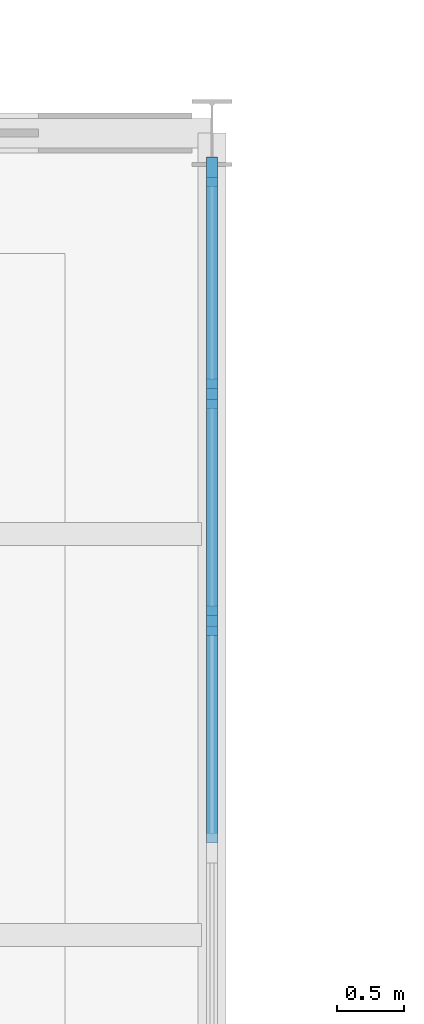
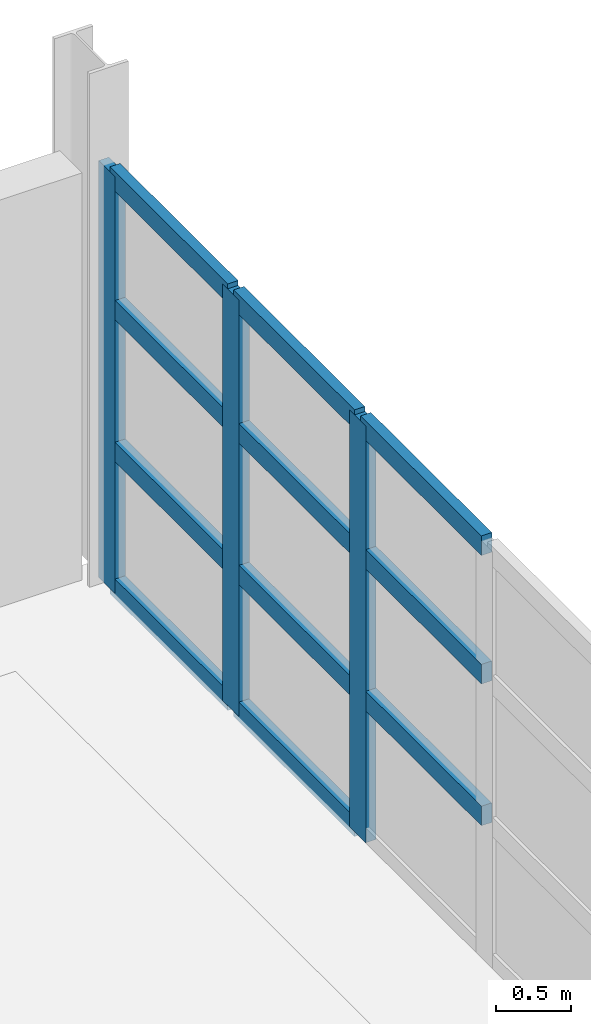
# One storey, part 10 of 52: 14 members, 1 element without a shape of its own.
"""IFC4 building model written with IfcOpenShell, lengths in metres."""

from ifc_helpers import new_model, si_unit, direction, frame, origin, origin_2d, place, context, subcontext, project, spatial, rectangle, extrude, material, layer, layer_set, material_profile, profile_set, type_object, element, aggregate, save


model = new_model("IFC4")

# Units and contexts
model_context = context("Model", 3, precision=1e-05, world=origin(), true_north=direction((0.0, 1.0)))
body_context = subcontext(model_context, "Body", "Model", "MODEL_VIEW")
ifc_project = project(units=[si_unit("LENGTHUNIT", "METRE"), si_unit("AREAUNIT", "SQUARE_METRE"), si_unit("VOLUMEUNIT", "CUBIC_METRE"), si_unit("PLANEANGLEUNIT", "RADIAN"), si_unit("MASSUNIT", "GRAM", prefix="KILO")], contexts=[model_context])

# Site, building, storey
site_placement = place(None, origin())
site = spatial("IfcSite", under=ifc_project, at=site_placement, CompositionType="ELEMENT")
building_placement = place(site_placement, origin())
building = spatial("IfcBuilding", under=site, at=building_placement, Name="Zarnetskaya Central Station", CompositionType="ELEMENT")
storey_placement = place(building_placement, frame((0.0, 0.0, 14.39990234375)))
storey = spatial("IfcBuildingStorey", under=building, at=storey_placement, Name="L03", CompositionType="ELEMENT", Elevation=14.39990234375)

# Curtain wall, members
ifc_material_1 = material(Name="Low-E insulated glass", Category="glass")
ifc_layer = layer(ifc_material_1, 0.176025390625, Name="Low-E insulated glass", Category="glass")
ifc_layer_set = layer_set([ifc_layer], Name="Low-E insulated glass")
curtain_wall_type = type_object("IfcCurtainWallType", Name="CW-SYS-05", PredefinedType="USERDEFINED", material=ifc_layer_set)
curtain_wall_placement = place(storey_placement, origin())
curtain_wall = element("IfcCurtainWall", 1, at=curtain_wall_placement, inside=storey, type_object=curtain_wall_type, Name="Curtain wall CW-L03-040", ObjectType="CURTAIN WALL", PredefinedType="USERDEFINED")
ifc_material_2 = material(Name="Anodised aluminium", Category="aluminium")
ifc_material_profile_1 = material_profile(ifc_material_2, rectangle(XDim=0.080078125, YDim=0.219970703125, at=origin_2d()), Name="ALU MULL 80x220")
ifc_profile_set_1 = profile_set([ifc_material_profile_1], Name="Anodised aluminium")
member_type_1 = type_object("IfcMemberType", Name="CW-MULL-220", PredefinedType="MULLION", material=ifc_profile_set_1)
member_1_placement = place(storey_placement, frame((48.0, 21.909912109375, 0.0), z_axis=(0.0, 0.0, 1.0), x_axis=(1.0, 0.0, 0.0)))
member_1 = element("IfcMember", 2, at=member_1_placement, type_object=member_type_1, Name="CW-14 mullion 1", PredefinedType="MULLION", context=body_context, shape_type="SweptSolid", body=[
    extrude(rectangle(XDim=0.080078125, YDim=0.219970703125, at=origin_2d()), origin(), (0.0, 0.0, 1.0), 3.41015625),
])
member_2_placement = place(storey_placement, frame((48.0, 20.25, 0.0), z_axis=(0.0, 0.0, 1.0), x_axis=(1.0, 0.0, 0.0)))
member_2 = element("IfcMember", 3, at=member_2_placement, type_object=member_type_1, Name="CW-14 mullion 2", PredefinedType="MULLION", context=body_context, shape_type="SweptSolid", body=[
    extrude(rectangle(XDim=0.080078125, YDim=0.219970703125, at=origin_2d()), origin(), (0.0, 0.0, 1.0), 3.41015625),
])
member_3_placement = place(storey_placement, frame((48.0, 18.550048828125, 0.0), z_axis=(0.0, 0.0, 1.0), x_axis=(1.0, 0.0, 0.0)))
member_3 = element("IfcMember", 4, at=member_3_placement, type_object=member_type_1, Name="CW-14 mullion 3", PredefinedType="MULLION", context=body_context, shape_type="SweptSolid", body=[
    extrude(rectangle(XDim=0.080078125, YDim=0.219970703125, at=origin_2d()), origin(), (0.0, 0.0, 1.0), 3.41015625),
])
ifc_material_profile_2 = material_profile(ifc_material_2, rectangle(XDim=0.080078125, YDim=0.159912109375, at=origin_2d()), Name="ALU TRAN 80x160")
ifc_profile_set_2 = profile_set([ifc_material_profile_2], Name="Anodised aluminium")
member_type_2 = type_object("IfcMemberType", Name="CW-TRAN-160", PredefinedType="USERDEFINED", material=ifc_profile_set_2)
member_4_placement = place(storey_placement, frame((48.0, 21.8701171875, 0.0400390625), z_axis=(0.0, -1.0, 0.0), x_axis=(1.0, 0.0, 0.0)))
member_4 = element("IfcMember", 5, at=member_4_placement, type_object=member_type_2, Name="CW-14 transom 1.1", ObjectType="TRANSOM", PredefinedType="USERDEFINED", context=body_context, shape_type="SweptSolid", body=[
    extrude(rectangle(XDim=0.080078125, YDim=0.159912109375, at=origin_2d()), origin(), (0.0, 0.0, 1.0), 1.580078125),
])
member_5_placement = place(storey_placement, frame((48.0, 21.8701171875, 1.1591796875), z_axis=(0.0, -1.0, 0.0), x_axis=(1.0, 0.0, 0.0)))
member_5 = element("IfcMember", 6, at=member_5_placement, type_object=member_type_2, Name="CW-14 transom 1.2", ObjectType="TRANSOM", PredefinedType="USERDEFINED", context=body_context, shape_type="SweptSolid", body=[
    extrude(rectangle(XDim=0.080078125, YDim=0.159912109375, at=origin_2d()), origin(), (0.0, 0.0, 1.0), 1.580078125),
])
member_6_placement = place(storey_placement, frame((48.0, 21.8701171875, 2.319091796875), z_axis=(0.0, -1.0, 0.0), x_axis=(1.0, 0.0, 0.0)))
member_6 = element("IfcMember", 7, at=member_6_placement, type_object=member_type_2, Name="CW-14 transom 1.3", ObjectType="TRANSOM", PredefinedType="USERDEFINED", context=body_context, shape_type="SweptSolid", body=[
    extrude(rectangle(XDim=0.080078125, YDim=0.159912109375, at=origin_2d()), origin(), (0.0, 0.0, 1.0), 1.580078125),
])
member_7_placement = place(storey_placement, frame((48.0, 21.8701171875, 3.3701171875), z_axis=(0.0, -1.0, 0.0), x_axis=(1.0, 0.0, 0.0)))
member_7 = element("IfcMember", 8, at=member_7_placement, type_object=member_type_2, Name="CW-14 transom 1.4", ObjectType="TRANSOM", PredefinedType="USERDEFINED", context=body_context, shape_type="SweptSolid", body=[
    extrude(rectangle(XDim=0.080078125, YDim=0.159912109375, at=origin_2d()), origin(), (0.0, 0.0, 1.0), 1.580078125),
])
member_8_placement = place(storey_placement, frame((48.0, 20.2099609375, 0.0400390625), z_axis=(0.0, -1.0, 0.0), x_axis=(1.0, 0.0, 0.0)))
member_8 = element("IfcMember", 9, at=member_8_placement, type_object=member_type_2, Name="CW-14 transom 2.1", ObjectType="TRANSOM", PredefinedType="USERDEFINED", context=body_context, shape_type="SweptSolid", body=[
    extrude(rectangle(XDim=0.080078125, YDim=0.159912109375, at=origin_2d()), origin(), (0.0, 0.0, 1.0), 1.619873046875),
])
member_9_placement = place(storey_placement, frame((48.0, 20.2099609375, 1.1591796875), z_axis=(0.0, -1.0, 0.0), x_axis=(1.0, 0.0, 0.0)))
member_9 = element("IfcMember", 10, at=member_9_placement, type_object=member_type_2, Name="CW-14 transom 2.2", ObjectType="TRANSOM", PredefinedType="USERDEFINED", context=body_context, shape_type="SweptSolid", body=[
    extrude(rectangle(XDim=0.080078125, YDim=0.159912109375, at=origin_2d()), origin(), (0.0, 0.0, 1.0), 1.619873046875),
])
member_10_placement = place(storey_placement, frame((48.0, 20.2099609375, 2.319091796875), z_axis=(0.0, -1.0, 0.0), x_axis=(1.0, 0.0, 0.0)))
member_10 = element("IfcMember", 11, at=member_10_placement, type_object=member_type_2, Name="CW-14 transom 2.3", ObjectType="TRANSOM", PredefinedType="USERDEFINED", context=body_context, shape_type="SweptSolid", body=[
    extrude(rectangle(XDim=0.080078125, YDim=0.159912109375, at=origin_2d()), origin(), (0.0, 0.0, 1.0), 1.619873046875),
])
member_11_placement = place(storey_placement, frame((48.0, 20.2099609375, 3.3701171875), z_axis=(0.0, -1.0, 0.0), x_axis=(1.0, 0.0, 0.0)))
member_11 = element("IfcMember", 12, at=member_11_placement, type_object=member_type_2, Name="CW-14 transom 2.4", ObjectType="TRANSOM", PredefinedType="USERDEFINED", context=body_context, shape_type="SweptSolid", body=[
    extrude(rectangle(XDim=0.080078125, YDim=0.159912109375, at=origin_2d()), origin(), (0.0, 0.0, 1.0), 1.619873046875),
])
member_12_placement = place(storey_placement, frame((48.0, 18.510009765625, 1.1591796875), z_axis=(0.0, -1.0, 0.0), x_axis=(1.0, 0.0, 0.0)))
member_12 = element("IfcMember", 13, at=member_12_placement, type_object=member_type_2, Name="CW-14 transom 3.2", ObjectType="TRANSOM", PredefinedType="USERDEFINED", context=body_context, shape_type="SweptSolid", body=[
    extrude(rectangle(XDim=0.080078125, YDim=0.159912109375, at=origin_2d()), origin(), (0.0, 0.0, 1.0), 1.6201171875),
])
member_13_placement = place(storey_placement, frame((48.0, 18.510009765625, 2.319091796875), z_axis=(0.0, -1.0, 0.0), x_axis=(1.0, 0.0, 0.0)))
member_13 = element("IfcMember", 14, at=member_13_placement, type_object=member_type_2, Name="CW-14 transom 3.3", ObjectType="TRANSOM", PredefinedType="USERDEFINED", context=body_context, shape_type="SweptSolid", body=[
    extrude(rectangle(XDim=0.080078125, YDim=0.159912109375, at=origin_2d()), origin(), (0.0, 0.0, 1.0), 1.6201171875),
])
member_14_placement = place(storey_placement, frame((48.0, 18.510009765625, 3.3701171875), z_axis=(0.0, -1.0, 0.0), x_axis=(1.0, 0.0, 0.0)))
member_14 = element("IfcMember", 15, at=member_14_placement, type_object=member_type_2, Name="CW-14 transom 3.4", ObjectType="TRANSOM", PredefinedType="USERDEFINED", context=body_context, shape_type="SweptSolid", body=[
    extrude(rectangle(XDim=0.080078125, YDim=0.159912109375, at=origin_2d()), origin(), (0.0, 0.0, 1.0), 1.6201171875),
])
aggregate(curtain_wall, [member_1, member_2, member_3, member_4, member_5, member_6, member_7, member_8, member_9, member_10, member_11, member_12, member_13, member_14])

save(model, "model.ifc")
